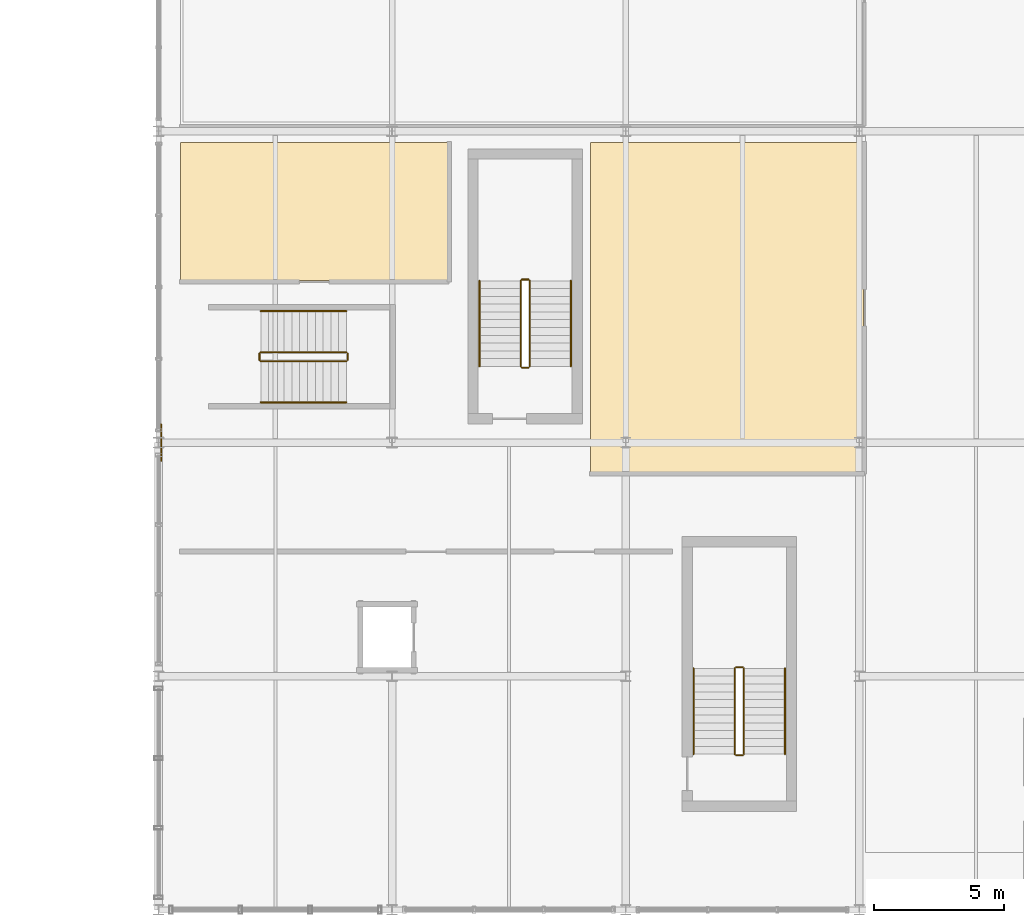
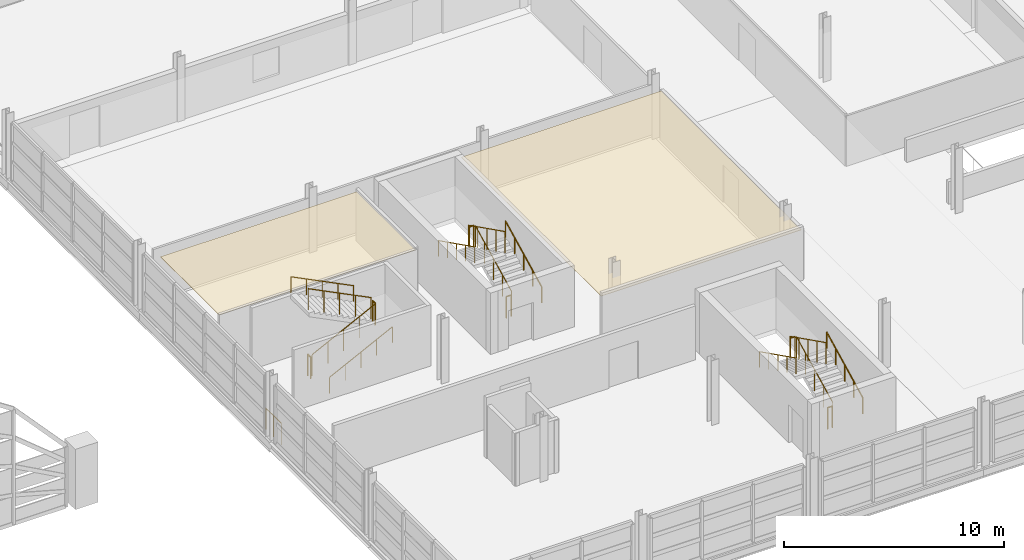
# One storey, part 110 of 116: 19 railings, 2 coverings.
"""IFC4 building model written with IfcOpenShell, lengths in metres."""

from ifc_helpers import new_model, si_unit, direction, frame, origin, origin_2d, place, context, subcontext, project, spatial, polyline, circle, outline, extrude, material, layer, layer_set, type_object, element, save


model = new_model("IFC4")

# Units and contexts
model_context = context("Model", 3, precision=1e-05, world=origin(), true_north=direction((0.0, 1.0)))
body_context = subcontext(model_context, "Body", "Model", "MODEL_VIEW")
ifc_project = project(units=[si_unit("LENGTHUNIT", "METRE"), si_unit("AREAUNIT", "SQUARE_METRE"), si_unit("VOLUMEUNIT", "CUBIC_METRE"), si_unit("PLANEANGLEUNIT", "RADIAN"), si_unit("MASSUNIT", "GRAM", prefix="KILO")], contexts=[model_context])

# Site, building, storey
site_placement = place(None, origin())
site = spatial("IfcSite", under=ifc_project, at=site_placement, CompositionType="ELEMENT")
building_placement = place(site_placement, origin())
building = spatial("IfcBuilding", under=site, at=building_placement, Name="Chuanluo Vaults Station", CompositionType="ELEMENT")
storey_placement = place(building_placement, frame((0.0, 0.0, 10.800048828125)))
storey = spatial("IfcBuildingStorey", under=building, at=storey_placement, Name="L02", CompositionType="ELEMENT", Elevation=10.800048828125)

# Coverings
ifc_material_1 = material(Name="Acoustic mineral-fibre tile")
ifc_layer = layer(ifc_material_1, 0.02490234375)
ifc_layer_set = layer_set([ifc_layer], Name="Acoustic mineral-fibre tile")
covering_type = type_object("IfcCoveringType", Name="COV-CEIL-TILE", PredefinedType="CEILING", material=ifc_layer_set)
covering_1_placement = place(storey_placement, frame((0.0, 0.0, 2.71484375)))
element("IfcCovering", 1, at=covering_1_placement, inside=storey, type_object=covering_type, Name="L02-08 suspended acoustic ceiling", PredefinedType="CEILING", context=body_context, shape_type="SweptSolid", body=[
    extrude(outline(polyline([(152.639892578125, 16.840087890625), (163.159912109375, 16.840087890625), (163.159912109375, 29.56005859375), (152.639892578125, 29.56005859375), (152.639892578125, 16.840087890625)])), origin(), (0.0, 0.0, 1.0), 0.025146484375),
])
covering_2_placement = place(storey_placement, frame((0.0, 0.0, 2.71484375)))
element("IfcCovering", 2, at=covering_2_placement, inside=storey, type_object=covering_type, Name="L02-08B suspended acoustic ceiling", PredefinedType="CEILING", context=body_context, shape_type="SweptSolid", body=[
    extrude(outline(polyline([(136.840087890625, 24.239990234375), (147.159912109375, 24.239990234375), (147.159912109375, 29.56005859375), (136.840087890625, 29.56005859375), (136.840087890625, 24.239990234375)])), origin(), (0.0, 0.0, 1.0), 0.025146484375),
])

# Railings
ifc_material_2 = material(Name="Tempered laminated balustrade glass", Category="glass")
railing_type_1 = type_object("IfcRailingType", Name="RLG-GUARD-1200", PredefinedType="BALUSTRADE", material=ifc_material_2)
railing_1_placement = place(storey_placement, frame((136.10009765625, 17.300048828125, 0.0)))
element("IfcRailing", 3, at=railing_1_placement, inside=storey, type_object=railing_type_1, Name="Planted terrace perimeter balustrade TER-RET-L02-C18", PredefinedType="BALUSTRADE", context=body_context, shape_type="SweptSolid", body=[
    extrude(circle(Radius=0.02392578125, at=origin_2d()), frame((0.0, 0.0, 1.17578125), z_axis=(0.0, 1.0, 0.0), x_axis=(-1.0, 0.0, 0.0)), (0.0, 0.0, 1.0), 1.39990234375),
    extrude(circle(Radius=0.02099609375, at=origin_2d()), origin(), (0.0, 0.0, 1.0), 1.15185546875),
    extrude(circle(Radius=0.02099609375, at=origin_2d()), frame((0.0, 0.699951171875, 0.0)), (0.0, 0.0, 1.0), 1.15185546875),
    extrude(circle(Radius=0.02099609375, at=origin_2d()), frame((0.0, 1.39990234375, 0.0)), (0.0, 0.0, 1.0), 1.15185546875),
])
railing_2_placement = place(storey_placement, frame((150.302490234375, 20.9375, 0.14990234375)))
element("IfcRailing", 4, at=railing_2_placement, inside=storey, type_object=railing_type_1, Name="L02 ST-04 stair guard 1", PredefinedType="BALUSTRADE", context=body_context, shape_type="SweptSolid", body=[
    extrude(circle(Radius=0.02392578125, at=origin_2d()), frame((0.0, 0.0, 1.17578125), z_axis=(0.0, 0.894413956696, 0.447240063129), x_axis=(-1.0, 0.0, 0.0)), (0.0, 0.0, 1.0), 3.689697265625),
    extrude(circle(Radius=0.02099609375, at=origin_2d()), origin(), (0.0, 0.0, 1.0), 1.15185546875),
    extrude(circle(Radius=0.02099609375, at=origin_2d()), frame((0.0, 0.824951171875, 0.41259765625)), (0.0, 0.0, 1.0), 1.15185546875),
    extrude(circle(Radius=0.02099609375, at=origin_2d()), frame((0.0, 1.64990234375, 0.8251953125)), (0.0, 0.0, 1.0), 1.15185546875),
    extrude(circle(Radius=0.02099609375, at=origin_2d()), frame((0.0, 2.47509765625, 1.237548828125)), (0.0, 0.0, 1.0), 1.15185546875),
    extrude(circle(Radius=0.02099609375, at=origin_2d()), frame((0.0, 3.300048828125, 1.650146484375)), (0.0, 0.0, 1.0), 1.15185546875),
])
railing_3_placement = place(storey_placement, frame((150.25244140625, 24.28759765625, 1.800048828125)))
element("IfcRailing", 5, at=railing_3_placement, inside=storey, type_object=railing_type_1, Name="L02 ST-04 stair guard 2", PredefinedType="BALUSTRADE", context=body_context, shape_type="SweptSolid", body=[
    extrude(circle(Radius=0.02392578125, at=origin_2d()), frame((0.0, 0.0, 1.17578125), z_axis=(-1.0, 0.0, 0.0), x_axis=(0.0, -1.0, 0.0)), (0.0, 0.0, 1.0), 0.25),
    extrude(circle(Radius=0.02099609375, at=origin_2d()), origin(), (0.0, 0.0, 1.0), 1.15185546875),
    extrude(circle(Radius=0.02099609375, at=origin_2d()), frame((-0.25, 0.0, 0.0)), (0.0, 0.0, 1.0), 1.15185546875),
])
railing_4_placement = place(storey_placement, frame((149.952392578125, 24.237548828125, 1.949951171875)))
element("IfcRailing", 6, at=railing_4_placement, inside=storey, type_object=railing_type_1, Name="L02 ST-04 stair guard 3", PredefinedType="BALUSTRADE", context=body_context, shape_type="SweptSolid", body=[
    extrude(circle(Radius=0.02392578125, at=origin_2d()), frame((0.0, 0.0, 1.17578125), z_axis=(0.0, -0.894440424912, 0.447187126696), x_axis=(1.0, 0.0, 0.0)), (0.0, 0.0, 1.0), 3.689453125),
    extrude(circle(Radius=0.02099609375, at=origin_2d()), origin(), (0.0, 0.0, 1.0), 1.15185546875),
    extrude(circle(Radius=0.02099609375, at=origin_2d()), frame((0.0, -0.824951171875, 0.41259765625)), (0.0, 0.0, 1.0), 1.15185546875),
    extrude(circle(Radius=0.02099609375, at=origin_2d()), frame((0.0, -1.64990234375, 0.824951171875)), (0.0, 0.0, 1.0), 1.15185546875),
    extrude(circle(Radius=0.02099609375, at=origin_2d()), frame((0.0, -2.47509765625, 1.2373046875)), (0.0, 0.0, 1.0), 1.15185546875),
    extrude(circle(Radius=0.02099609375, at=origin_2d()), frame((0.0, -3.300048828125, 1.64990234375)), (0.0, 0.0, 1.0), 1.15185546875),
])
railing_5_placement = place(storey_placement, frame((150.25244140625, 20.887451171875, 0.0)))
element("IfcRailing", 7, at=railing_5_placement, inside=storey, type_object=railing_type_1, Name="L02 ST-04 stair guard 4", PredefinedType="BALUSTRADE", context=body_context, shape_type="SweptSolid", body=[
    extrude(circle(Radius=0.02392578125, at=origin_2d()), frame((0.0, 0.0, 1.17578125), z_axis=(-1.0, 0.0, 0.0), x_axis=(0.0, -1.0, 0.0)), (0.0, 0.0, 1.0), 0.25),
    extrude(circle(Radius=0.02099609375, at=origin_2d()), origin(), (0.0, 0.0, 1.0), 1.15185546875),
    extrude(circle(Radius=0.02099609375, at=origin_2d()), frame((-0.25, 0.0, 0.0)), (0.0, 0.0, 1.0), 1.15185546875),
])
railing_6_placement = place(storey_placement, frame((158.552490234375, 6.0, 0.14990234375)))
element("IfcRailing", 8, at=railing_6_placement, inside=storey, type_object=railing_type_1, Name="L02 ST-05 stair guard 1", PredefinedType="BALUSTRADE", context=body_context, shape_type="SweptSolid", body=[
    extrude(circle(Radius=0.02392578125, at=origin_2d()), frame((0.0, 0.0, 1.17578125), z_axis=(0.0, 0.894413956696, 0.447240063129), x_axis=(-1.0, 0.0, 0.0)), (0.0, 0.0, 1.0), 3.689697265625),
    extrude(circle(Radius=0.02099609375, at=origin_2d()), origin(), (0.0, 0.0, 1.0), 1.15185546875),
    extrude(circle(Radius=0.02099609375, at=origin_2d()), frame((0.0, 0.824951171875, 0.41259765625)), (0.0, 0.0, 1.0), 1.15185546875),
    extrude(circle(Radius=0.02099609375, at=origin_2d()), frame((0.0, 1.64990234375, 0.8251953125)), (0.0, 0.0, 1.0), 1.15185546875),
    extrude(circle(Radius=0.02099609375, at=origin_2d()), frame((0.0, 2.47509765625, 1.237548828125)), (0.0, 0.0, 1.0), 1.15185546875),
    extrude(circle(Radius=0.02099609375, at=origin_2d()), frame((0.0, 3.300048828125, 1.650146484375)), (0.0, 0.0, 1.0), 1.15185546875),
])
railing_7_placement = place(storey_placement, frame((158.50244140625, 9.35009765625, 1.800048828125)))
element("IfcRailing", 9, at=railing_7_placement, inside=storey, type_object=railing_type_1, Name="L02 ST-05 stair guard 2", PredefinedType="BALUSTRADE", context=body_context, shape_type="SweptSolid", body=[
    extrude(circle(Radius=0.02392578125, at=origin_2d()), frame((0.0, 0.0, 1.17578125), z_axis=(-1.0, 0.0, 0.0), x_axis=(0.0, -1.0, 0.0)), (0.0, 0.0, 1.0), 0.25),
    extrude(circle(Radius=0.02099609375, at=origin_2d()), origin(), (0.0, 0.0, 1.0), 1.15185546875),
    extrude(circle(Radius=0.02099609375, at=origin_2d()), frame((-0.25, 0.0, 0.0)), (0.0, 0.0, 1.0), 1.15185546875),
])
railing_8_placement = place(storey_placement, frame((158.202392578125, 9.300048828125, 1.949951171875)))
element("IfcRailing", 10, at=railing_8_placement, inside=storey, type_object=railing_type_1, Name="L02 ST-05 stair guard 3", PredefinedType="BALUSTRADE", context=body_context, shape_type="SweptSolid", body=[
    extrude(circle(Radius=0.02392578125, at=origin_2d()), frame((0.0, 0.0, 1.17578125), z_axis=(0.0, -0.894440424912, 0.447187126696), x_axis=(1.0, 0.0, 0.0)), (0.0, 0.0, 1.0), 3.689453125),
    extrude(circle(Radius=0.02099609375, at=origin_2d()), origin(), (0.0, 0.0, 1.0), 1.15185546875),
    extrude(circle(Radius=0.02099609375, at=origin_2d()), frame((0.0, -0.824951171875, 0.41259765625)), (0.0, 0.0, 1.0), 1.15185546875),
    extrude(circle(Radius=0.02099609375, at=origin_2d()), frame((0.0, -1.64990234375, 0.824951171875)), (0.0, 0.0, 1.0), 1.15185546875),
    extrude(circle(Radius=0.02099609375, at=origin_2d()), frame((0.0, -2.47509765625, 1.2373046875)), (0.0, 0.0, 1.0), 1.15185546875),
    extrude(circle(Radius=0.02099609375, at=origin_2d()), frame((0.0, -3.300048828125, 1.64990234375)), (0.0, 0.0, 1.0), 1.15185546875),
])
railing_9_placement = place(storey_placement, frame((158.50244140625, 5.949951171875, 0.0)))
element("IfcRailing", 11, at=railing_9_placement, inside=storey, type_object=railing_type_1, Name="L02 ST-05 stair guard 4", PredefinedType="BALUSTRADE", context=body_context, shape_type="SweptSolid", body=[
    extrude(circle(Radius=0.02392578125, at=origin_2d()), frame((0.0, 0.0, 1.17578125), z_axis=(-1.0, 0.0, 0.0), x_axis=(0.0, -1.0, 0.0)), (0.0, 0.0, 1.0), 0.25),
    extrude(circle(Radius=0.02099609375, at=origin_2d()), origin(), (0.0, 0.0, 1.0), 1.15185546875),
    extrude(circle(Radius=0.02099609375, at=origin_2d()), frame((-0.25, 0.0, 0.0)), (0.0, 0.0, 1.0), 1.15185546875),
])
railing_10_placement = place(storey_placement, frame((139.9375, 21.135009765625, 0.14990234375)))
element("IfcRailing", 12, at=railing_10_placement, inside=storey, type_object=railing_type_1, Name="L02 ST-28 stair guard 1", PredefinedType="BALUSTRADE", context=body_context, shape_type="SweptSolid", body=[
    extrude(circle(Radius=0.02392578125, at=origin_2d()), frame((0.0, 0.0, 1.17578125), z_axis=(0.894413956696, 0.0, 0.447240063129), x_axis=(0.0, 1.0, 0.0)), (0.0, 0.0, 1.0), 3.689697265625),
    extrude(circle(Radius=0.02099609375, at=origin_2d()), origin(), (0.0, 0.0, 1.0), 1.15185546875),
    extrude(circle(Radius=0.02099609375, at=origin_2d()), frame((0.824951171875, 0.0, 0.41259765625)), (0.0, 0.0, 1.0), 1.15185546875),
    extrude(circle(Radius=0.02099609375, at=origin_2d()), frame((1.64990234375, 0.0, 0.8251953125)), (0.0, 0.0, 1.0), 1.15185546875),
    extrude(circle(Radius=0.02099609375, at=origin_2d()), frame((2.47509765625, 0.0, 1.237548828125)), (0.0, 0.0, 1.0), 1.15185546875),
    extrude(circle(Radius=0.02099609375, at=origin_2d()), frame((3.300048828125, 0.0, 1.650146484375)), (0.0, 0.0, 1.0), 1.15185546875),
])
railing_11_placement = place(storey_placement, frame((143.28759765625, 21.18505859375, 1.800048828125)))
element("IfcRailing", 13, at=railing_11_placement, inside=storey, type_object=railing_type_1, Name="L02 ST-28 stair guard 2", PredefinedType="BALUSTRADE", context=body_context, shape_type="SweptSolid", body=[
    extrude(circle(Radius=0.02392578125, at=origin_2d()), frame((0.0, 0.0, 1.17578125), z_axis=(0.0, 1.0, 0.0), x_axis=(-1.0, 0.0, 0.0)), (0.0, 0.0, 1.0), 0.25),
    extrude(circle(Radius=0.02099609375, at=origin_2d()), origin(), (0.0, 0.0, 1.0), 1.15185546875),
    extrude(circle(Radius=0.02099609375, at=origin_2d()), frame((0.0, 0.25, 0.0)), (0.0, 0.0, 1.0), 1.15185546875),
])
railing_12_placement = place(storey_placement, frame((143.237548828125, 21.485107421875, 1.949951171875)))
element("IfcRailing", 14, at=railing_12_placement, inside=storey, type_object=railing_type_1, Name="L02 ST-28 stair guard 3", PredefinedType="BALUSTRADE", context=body_context, shape_type="SweptSolid", body=[
    extrude(circle(Radius=0.02392578125, at=origin_2d()), frame((0.0, 0.0, 1.17578125), z_axis=(-0.894440424912, 0.0, 0.447187126696), x_axis=(0.0, -1.0, 0.0)), (0.0, 0.0, 1.0), 3.689453125),
    extrude(circle(Radius=0.02099609375, at=origin_2d()), origin(), (0.0, 0.0, 1.0), 1.15185546875),
    extrude(circle(Radius=0.02099609375, at=origin_2d()), frame((-0.824951171875, 0.0, 0.41259765625)), (0.0, 0.0, 1.0), 1.15185546875),
    extrude(circle(Radius=0.02099609375, at=origin_2d()), frame((-1.64990234375, 0.0, 0.824951171875)), (0.0, 0.0, 1.0), 1.15185546875),
    extrude(circle(Radius=0.02099609375, at=origin_2d()), frame((-2.47509765625, 0.0, 1.2373046875)), (0.0, 0.0, 1.0), 1.15185546875),
    extrude(circle(Radius=0.02099609375, at=origin_2d()), frame((-3.300048828125, 0.0, 1.64990234375)), (0.0, 0.0, 1.0), 1.15185546875),
])
railing_13_placement = place(storey_placement, frame((139.887451171875, 21.18505859375, 0.0)))
element("IfcRailing", 15, at=railing_13_placement, inside=storey, type_object=railing_type_1, Name="L02 ST-28 stair guard 4", PredefinedType="BALUSTRADE", context=body_context, shape_type="SweptSolid", body=[
    extrude(circle(Radius=0.02392578125, at=origin_2d()), frame((0.0, 0.0, 1.17578125), z_axis=(0.0, 1.0, 0.0), x_axis=(-1.0, 0.0, 0.0)), (0.0, 0.0, 1.0), 0.25),
    extrude(circle(Radius=0.02099609375, at=origin_2d()), origin(), (0.0, 0.0, 1.0), 1.15185546875),
    extrude(circle(Radius=0.02099609375, at=origin_2d()), frame((0.0, 0.25, 0.0)), (0.0, 0.0, 1.0), 1.15185546875),
])
ifc_material_3 = material(Name="Brushed stainless steel 304", Category="steel")
railing_type_2 = type_object("IfcRailingType", Name="RLG-HAND-900", PredefinedType="HANDRAIL", material=ifc_material_3)
railing_14_placement = place(storey_placement, frame((151.887451171875, 20.9375, 0.14990234375)))
element("IfcRailing", 16, at=railing_14_placement, inside=storey, type_object=railing_type_2, Name="L02 ST-04 stair handrail 1", PredefinedType="HANDRAIL", context=body_context, shape_type="SweptSolid", body=[
    extrude(circle(Radius=0.02392578125, at=origin_2d()), frame((0.0, 0.0, 0.8759765625), z_axis=(0.0, 0.894413956696, 0.447240063129), x_axis=(-1.0, 0.0, 0.0)), (0.0, 0.0, 1.0), 3.689697265625),
    extrude(circle(Radius=0.02099609375, at=origin_2d()), origin(), (0.0, 0.0, 1.0), 0.851806640625),
    extrude(circle(Radius=0.02099609375, at=origin_2d()), frame((0.0, 0.824951171875, 0.41259765625)), (0.0, 0.0, 1.0), 0.851806640625),
    extrude(circle(Radius=0.02099609375, at=origin_2d()), frame((0.0, 1.64990234375, 0.8251953125)), (0.0, 0.0, 1.0), 0.851806640625),
    extrude(circle(Radius=0.02099609375, at=origin_2d()), frame((0.0, 2.47509765625, 1.237548828125)), (0.0, 0.0, 1.0), 0.851806640625),
    extrude(circle(Radius=0.02099609375, at=origin_2d()), frame((0.0, 3.300048828125, 1.650146484375)), (0.0, 0.0, 1.0), 0.851806640625),
])
railing_15_placement = place(storey_placement, frame((148.367431640625, 24.237548828125, 1.949951171875)))
element("IfcRailing", 17, at=railing_15_placement, inside=storey, type_object=railing_type_2, Name="L02 ST-04 stair handrail 2", PredefinedType="HANDRAIL", context=body_context, shape_type="SweptSolid", body=[
    extrude(circle(Radius=0.02392578125, at=origin_2d()), frame((0.0, 0.0, 0.8759765625), z_axis=(0.0, -0.894440424912, 0.447187126696), x_axis=(1.0, 0.0, 0.0)), (0.0, 0.0, 1.0), 3.689453125),
    extrude(circle(Radius=0.02099609375, at=origin_2d()), origin(), (0.0, 0.0, 1.0), 0.851806640625),
    extrude(circle(Radius=0.02099609375, at=origin_2d()), frame((0.0, -0.824951171875, 0.41259765625)), (0.0, 0.0, 1.0), 0.851806640625),
    extrude(circle(Radius=0.02099609375, at=origin_2d()), frame((0.0, -1.64990234375, 0.824951171875)), (0.0, 0.0, 1.0), 0.851806640625),
    extrude(circle(Radius=0.02099609375, at=origin_2d()), frame((0.0, -2.47509765625, 1.2373046875)), (0.0, 0.0, 1.0), 0.851806640625),
    extrude(circle(Radius=0.02099609375, at=origin_2d()), frame((0.0, -3.300048828125, 1.64990234375)), (0.0, 0.0, 1.0), 0.851806640625),
])
railing_16_placement = place(storey_placement, frame((160.137451171875, 6.0, 0.14990234375)))
element("IfcRailing", 18, at=railing_16_placement, inside=storey, type_object=railing_type_2, Name="L02 ST-05 stair handrail 1", PredefinedType="HANDRAIL", context=body_context, shape_type="SweptSolid", body=[
    extrude(circle(Radius=0.02392578125, at=origin_2d()), frame((0.0, 0.0, 0.8759765625), z_axis=(0.0, 0.894413956696, 0.447240063129), x_axis=(-1.0, 0.0, 0.0)), (0.0, 0.0, 1.0), 3.689697265625),
    extrude(circle(Radius=0.02099609375, at=origin_2d()), origin(), (0.0, 0.0, 1.0), 0.851806640625),
    extrude(circle(Radius=0.02099609375, at=origin_2d()), frame((0.0, 0.824951171875, 0.41259765625)), (0.0, 0.0, 1.0), 0.851806640625),
    extrude(circle(Radius=0.02099609375, at=origin_2d()), frame((0.0, 1.64990234375, 0.8251953125)), (0.0, 0.0, 1.0), 0.851806640625),
    extrude(circle(Radius=0.02099609375, at=origin_2d()), frame((0.0, 2.47509765625, 1.237548828125)), (0.0, 0.0, 1.0), 0.851806640625),
    extrude(circle(Radius=0.02099609375, at=origin_2d()), frame((0.0, 3.300048828125, 1.650146484375)), (0.0, 0.0, 1.0), 0.851806640625),
])
railing_17_placement = place(storey_placement, frame((156.617431640625, 9.300048828125, 1.949951171875)))
element("IfcRailing", 19, at=railing_17_placement, inside=storey, type_object=railing_type_2, Name="L02 ST-05 stair handrail 2", PredefinedType="HANDRAIL", context=body_context, shape_type="SweptSolid", body=[
    extrude(circle(Radius=0.02392578125, at=origin_2d()), frame((0.0, 0.0, 0.8759765625), z_axis=(0.0, -0.894440424912, 0.447187126696), x_axis=(1.0, 0.0, 0.0)), (0.0, 0.0, 1.0), 3.689453125),
    extrude(circle(Radius=0.02099609375, at=origin_2d()), origin(), (0.0, 0.0, 1.0), 0.851806640625),
    extrude(circle(Radius=0.02099609375, at=origin_2d()), frame((0.0, -0.824951171875, 0.41259765625)), (0.0, 0.0, 1.0), 0.851806640625),
    extrude(circle(Radius=0.02099609375, at=origin_2d()), frame((0.0, -1.64990234375, 0.824951171875)), (0.0, 0.0, 1.0), 0.851806640625),
    extrude(circle(Radius=0.02099609375, at=origin_2d()), frame((0.0, -2.47509765625, 1.2373046875)), (0.0, 0.0, 1.0), 0.851806640625),
    extrude(circle(Radius=0.02099609375, at=origin_2d()), frame((0.0, -3.300048828125, 1.64990234375)), (0.0, 0.0, 1.0), 0.851806640625),
])
railing_18_placement = place(storey_placement, frame((139.9375, 19.550048828125, 0.14990234375)))
element("IfcRailing", 20, at=railing_18_placement, inside=storey, type_object=railing_type_2, Name="L02 ST-28 stair handrail 1", PredefinedType="HANDRAIL", context=body_context, shape_type="SweptSolid", body=[
    extrude(circle(Radius=0.02392578125, at=origin_2d()), frame((0.0, 0.0, 0.8759765625), z_axis=(0.894413956696, 0.0, 0.447240063129), x_axis=(0.0, 1.0, 0.0)), (0.0, 0.0, 1.0), 3.689697265625),
    extrude(circle(Radius=0.02099609375, at=origin_2d()), origin(), (0.0, 0.0, 1.0), 0.851806640625),
    extrude(circle(Radius=0.02099609375, at=origin_2d()), frame((0.824951171875, 0.0, 0.41259765625)), (0.0, 0.0, 1.0), 0.851806640625),
    extrude(circle(Radius=0.02099609375, at=origin_2d()), frame((1.64990234375, 0.0, 0.8251953125)), (0.0, 0.0, 1.0), 0.851806640625),
    extrude(circle(Radius=0.02099609375, at=origin_2d()), frame((2.47509765625, 0.0, 1.237548828125)), (0.0, 0.0, 1.0), 0.851806640625),
    extrude(circle(Radius=0.02099609375, at=origin_2d()), frame((3.300048828125, 0.0, 1.650146484375)), (0.0, 0.0, 1.0), 0.851806640625),
])
railing_19_placement = place(storey_placement, frame((143.237548828125, 23.070068359375, 1.949951171875)))
element("IfcRailing", 21, at=railing_19_placement, inside=storey, type_object=railing_type_2, Name="L02 ST-28 stair handrail 2", PredefinedType="HANDRAIL", context=body_context, shape_type="SweptSolid", body=[
    extrude(circle(Radius=0.02392578125, at=origin_2d()), frame((0.0, 0.0, 0.8759765625), z_axis=(-0.894440424912, 0.0, 0.447187126696), x_axis=(0.0, -1.0, 0.0)), (0.0, 0.0, 1.0), 3.689453125),
    extrude(circle(Radius=0.02099609375, at=origin_2d()), origin(), (0.0, 0.0, 1.0), 0.851806640625),
    extrude(circle(Radius=0.02099609375, at=origin_2d()), frame((-0.824951171875, 0.0, 0.41259765625)), (0.0, 0.0, 1.0), 0.851806640625),
    extrude(circle(Radius=0.02099609375, at=origin_2d()), frame((-1.64990234375, 0.0, 0.824951171875)), (0.0, 0.0, 1.0), 0.851806640625),
    extrude(circle(Radius=0.02099609375, at=origin_2d()), frame((-2.47509765625, 0.0, 1.2373046875)), (0.0, 0.0, 1.0), 0.851806640625),
    extrude(circle(Radius=0.02099609375, at=origin_2d()), frame((-3.300048828125, 0.0, 1.64990234375)), (0.0, 0.0, 1.0), 0.851806640625),
])

save(model, "model.ifc")
